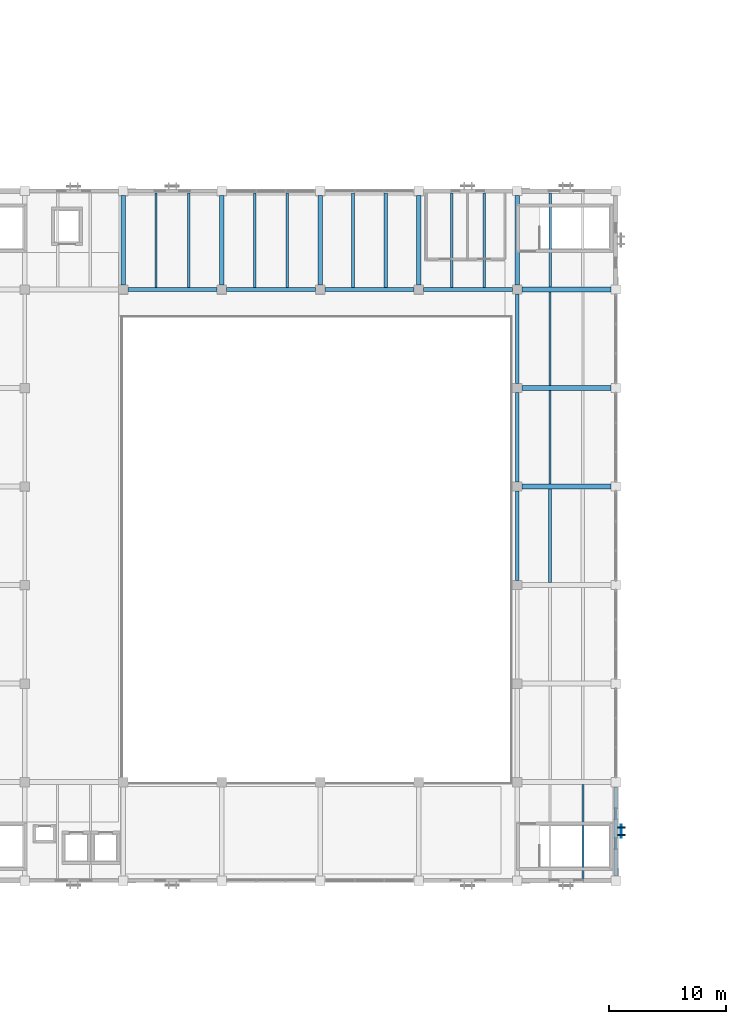
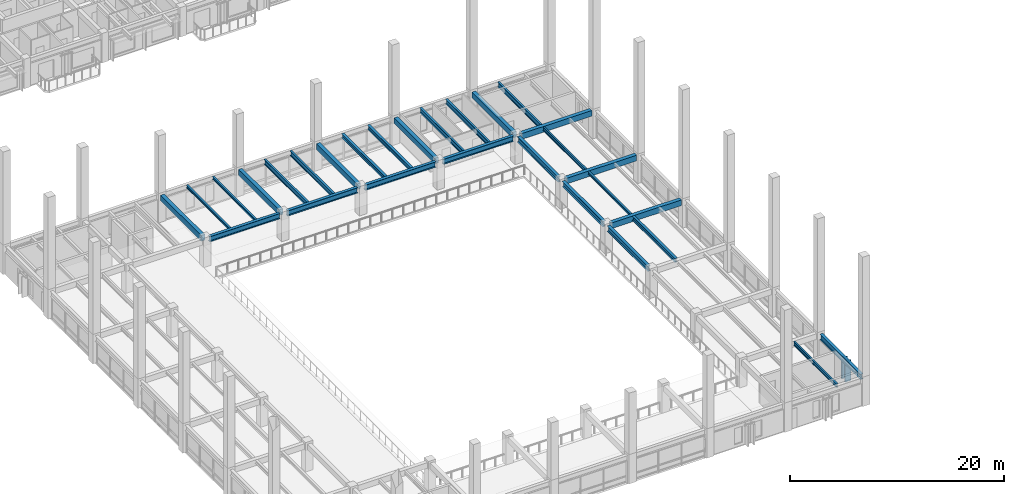
# One storey, part 7 of 64: 29 beams, 3 members, 1 element without a shape of its own.
"""IFC4 building model written with IfcOpenShell, lengths in metres."""

import ifcopenshell
import ifcopenshell.guid

model = None  # the IFC model being written
_history = None  # IfcOwnerHistory: only IFC2X3 demands one
_inside = {}  # id of a spatial element -> (the spatial element, [elements in it])
_under = {}  # id of a project, library or spatial element -> (it, [spatial elements below it])
_declared = {}  # id of a project -> (the project, [libraries it declares])
_typed = {}  # id of a type object -> (the type object, [elements of that type])
_made_of = {}  # id of a material, layer set ... -> (it, [elements and type objects made of it])


def new_model(schema):
    """Start an empty IFC model of exactly this schema.

    Asked for "IFC4X3", IfcOpenShell would pick the latest addendum, in which some entities
    have other attributes; the version numbers below select the first issue.
    IFC2X3 requires an IfcOwnerHistory on every rooted entity: one is made here for all.
    """
    global model, _history
    if schema == "IFC4X3":
        model = ifcopenshell.file(schema_version=(4, 3, 0, 0))
    else:
        model = ifcopenshell.file(schema=schema)
    _inside.clear()
    _under.clear()
    _declared.clear()
    _typed.clear()
    _made_of.clear()
    _history = None
    if model.schema == "IFC2X3":
        org = make("IfcOrganization", Name="unknown")
        user = make(
            "IfcPersonAndOrganization",
            ThePerson=make("IfcPerson", FamilyName="unknown"),
            TheOrganization=org,
        )
        app = make(
            "IfcApplication",
            ApplicationDeveloper=org,
            Version="unknown",
            ApplicationFullName="unknown",
            ApplicationIdentifier="unknown",
        )
        _history = make(
            "IfcOwnerHistory",
            OwningUser=user,
            OwningApplication=app,
            ChangeAction="ADDED",
            CreationDate=0,
        )
    return model


def make(cls, **values):
    """One entity of the class cls with the attributes given. An attribute that is None is left unset."""
    return model.create_entity(
        cls, **{name: value for name, value in values.items() if value is not None}
    )


def rooted(cls, **values):
    """An entity with a GlobalId (a new one), such as an element, a storey or a relation."""
    return make(cls, GlobalId=ifcopenshell.guid.new(), OwnerHistory=_history, **values)


def si_unit(unit_type, name, prefix=None):
    """IfcSIUnit, for example si_unit("LENGTHUNIT", "METRE", prefix="MILLI")."""
    return make("IfcSIUnit", UnitType=unit_type, Prefix=prefix, Name=name)


def assignment(units):
    """IfcUnitAssignment: the units of a project."""
    return None if units is None else make("IfcUnitAssignment", Units=units)


def point(xyz):
    """IfcCartesianPoint."""
    return None if xyz is None else make("IfcCartesianPoint", Coordinates=xyz)


def direction(xyz):
    """IfcDirection."""
    return None if xyz is None else make("IfcDirection", DirectionRatios=xyz)


def frame(location, z_axis=None, x_axis=None):
    """IfcAxis2Placement3D, a coordinate frame: its origin and axes. An axis left out is left unset."""
    return make(
        "IfcAxis2Placement3D",
        Location=point(location),
        Axis=direction(z_axis),
        RefDirection=direction(x_axis),
    )


def frame_2d(location, x_axis=None):
    """IfcAxis2Placement2D, a coordinate frame in the plane: its origin and x axis."""
    return make(
        "IfcAxis2Placement2D", Location=point(location), RefDirection=direction(x_axis)
    )


def origin():
    """The frame at (0, 0, 0) with its axes left unset."""
    return frame((0.0, 0.0, 0.0))


def origin_2d():
    """The frame at (0, 0) in the plane with its x axis left unset."""
    return frame_2d((0.0, 0.0))


def place(relative_to, where):
    """IfcLocalPlacement: puts the frame where relative to a parent placement (None: the world)."""
    return make(
        "IfcLocalPlacement", PlacementRelTo=relative_to, RelativePlacement=where
    )


def context(
    kind, dimensions, precision=None, world=None, true_north=None, identifier=None
):
    """IfcGeometricRepresentationContext, for example the 3D "Model" context."""
    return make(
        "IfcGeometricRepresentationContext",
        ContextIdentifier=identifier,
        ContextType=kind,
        CoordinateSpaceDimension=dimensions,
        Precision=precision,
        WorldCoordinateSystem=world,
        TrueNorth=true_north,
    )


def subcontext(parent, identifier, kind, view, scale=None):
    """IfcGeometricRepresentationSubContext, for example "Body" below "Model"."""
    return make(
        "IfcGeometricRepresentationSubContext",
        ContextIdentifier=identifier,
        ContextType=kind,
        ParentContext=parent,
        TargetScale=scale,
        TargetView=view,
    )


def project(units=None, contexts=None):
    """IfcProject with its units and contexts."""
    return rooted(
        "IfcProject",
        Name="project",
        RepresentationContexts=contexts,
        UnitsInContext=assignment(units),
    )


def spatial(cls, under=None, at=None, **own):
    """A site, building, storey or space (cls), placed at a placement, below another one or the project."""
    s = rooted(cls, ObjectPlacement=at, **own)
    if under is not None:
        _under.setdefault(under.id(), (under, []))[1].append(s)
    return s


def profile(cls, at=None, kind="AREA", **sizes):
    """A parametric profile (cls). Its sizes go by their IFC names, for example OverallWidth=200.0."""
    return make(cls, ProfileType=kind, Position=at, **sizes)


def rectangle(**sizes):
    """IfcRectangleProfileDef."""
    return profile("IfcRectangleProfileDef", **sizes)


def i_section(**sizes):
    """IfcIShapeProfileDef."""
    return profile("IfcIShapeProfileDef", **sizes)


def extrude(swept, where, along, depth):
    """IfcExtrudedAreaSolid: the profile swept, set in the frame where, extruded along a direction by depth."""
    return make(
        "IfcExtrudedAreaSolid",
        SweptArea=swept,
        Position=where,
        ExtrudedDirection=direction(along),
        Depth=depth,
    )


def shape(context_of_items, identifier, shape_type, items):
    """IfcShapeRepresentation: the items that make up one representation, for example the "Body"."""
    return make(
        "IfcShapeRepresentation",
        ContextOfItems=context_of_items,
        RepresentationIdentifier=identifier,
        RepresentationType=shape_type,
        Items=items,
    )


def material(Name=None, Category=None):
    """IfcMaterial."""
    return make("IfcMaterial", Name=Name, Category=Category)


def material_profile(
    of_material, cross_section, Name=None, Category=None, Priority=None
):
    """IfcMaterialProfile: a cross section and its material."""
    return make(
        "IfcMaterialProfile",
        Name=Name,
        Material=of_material,
        Profile=cross_section,
        Priority=Priority,
        Category=Category,
    )


def profile_set(profiles, Name=None, composite=None):
    """IfcMaterialProfileSet."""
    return make(
        "IfcMaterialProfileSet",
        Name=Name,
        MaterialProfiles=profiles,
        CompositeProfile=composite,
    )


def made_of(thing, what):
    """Note that an element or type object is made of a material, layer set ...; save() writes the relation."""
    if what is not None:
        _made_of.setdefault(what.id(), (what, []))[1].append(thing)
    return thing


def type_object(cls, material=None, **own):
    """A type object (cls), such as IfcWallType, which elements share."""
    return made_of(rooted(cls, **own), material)


def element(
    cls,
    number,
    at=None,
    inside=None,
    cuts=None,
    type_object=None,
    material=None,
    context=None,
    identifier="Body",
    shape_type=None,
    held_by="IfcProductDefinitionShape",
    body=None,
    shapes=None,
    **own,
):
    """One element of the class cls, such as IfcWall. Its Tag is "e" and its number.

    at: its placement. inside: the storey or other place that contains it. cuts: it is an
    opening in that element (IfcRelVoidsElement). A single representation is given by context,
    identifier, shape_type and body (its items); several are given by shapes. held_by: the class
    of the entity that holds the representations. save() writes the other relations.
    """
    e = rooted(cls, Tag="e%d" % number, ObjectPlacement=at, **own)
    if body is not None:
        shapes = [shape(context, identifier, shape_type, body)]
    if shapes is not None:
        e.Representation = make(held_by, Representations=shapes)
    if inside is not None:
        _inside.setdefault(inside.id(), (inside, []))[1].append(e)
    if cuts is not None:
        rooted(
            "IfcRelVoidsElement", RelatingBuildingElement=cuts, RelatedOpeningElement=e
        )
    if type_object is not None:
        _typed.setdefault(type_object.id(), (type_object, []))[1].append(e)
    return made_of(e, material)


def aggregate(whole, parts):
    """IfcRelAggregates: a whole, such as a stair, and the parts it consists of."""
    return rooted("IfcRelAggregates", RelatingObject=whole, RelatedObjects=parts)


def save(model, path):
    """Write the relations noted so far, then the file.

    IfcRelAggregates (storeys below a building ...), IfcRelContainedInSpatialStructure (elements
    in a storey), IfcRelDefinesByType, IfcRelAssociatesMaterial and IfcRelDeclares: one each for
    every whole, place, type object, material and project.
    """
    for whole, parts in _under.values():
        aggregate(whole, parts)
    for where, things in _inside.values():
        rooted(
            "IfcRelContainedInSpatialStructure",
            RelatedElements=things,
            RelatingStructure=where,
        )
    for kind, things in _typed.values():
        rooted("IfcRelDefinesByType", RelatedObjects=things, RelatingType=kind)
    for what, things in _made_of.values():
        rooted("IfcRelAssociatesMaterial", RelatedObjects=things, RelatingMaterial=what)
    for by, libraries in _declared.values():
        rooted("IfcRelDeclares", RelatingContext=by, RelatedDefinitions=libraries)
    model.write(path)


model = new_model("IFC4")

# Units and contexts
model_context = context("Model", 3, precision=1e-05, world=origin(), true_north=direction((0.0, 1.0)))
body_context = subcontext(model_context, "Body", "Model", "MODEL_VIEW")
ifc_project = project(units=[si_unit("LENGTHUNIT", "METRE"), si_unit("AREAUNIT", "SQUARE_METRE"), si_unit("VOLUMEUNIT", "CUBIC_METRE"), si_unit("PLANEANGLEUNIT", "RADIAN"), si_unit("MASSUNIT", "GRAM", prefix="KILO")], contexts=[model_context])

# Site, building, storey
site_placement = place(None, origin())
site = spatial("IfcSite", under=ifc_project, at=site_placement, CompositionType="ELEMENT")
building_placement = place(site_placement, origin())
building = spatial("IfcBuilding", under=site, at=building_placement, Name="Cumbredor Promenade Congress Hotel", CompositionType="ELEMENT")
storey_placement = place(building_placement, frame((0.0, 0.0, 18.47998046875)))
storey = spatial("IfcBuildingStorey", under=building, at=storey_placement, Name="L05", CompositionType="ELEMENT", Elevation=18.47998046875)

# Beams
ifc_material_1 = material(Name="Concrete C40/50", Category="concrete")
ifc_material_profile_1 = material_profile(ifc_material_1, rectangle(XDim=0.39990234375, YDim=0.64990234375, at=origin_2d()), Name="RC BEAM 400x650")
ifc_profile_set_1 = profile_set([ifc_material_profile_1], Name="Concrete C40/50")
beam_type_1 = type_object("IfcBeamType", Name="BM-RC-400x650", PredefinedType="BEAM", material=ifc_profile_set_1)
for number, where, z_axis, x_axis, name in (
    (1, (25.199951171875, 59.199951171875, 2.794921875), (0.0, 1.0, 0.0), (-1.0, 0.0, 0.0), "L06 Y-Grid Beam 050"),
    (2, (33.60009765625, 59.199951171875, 2.794921875), (0.0, 1.0, 0.0), (-1.0, 0.0, 0.0), "L06 Y-Grid Beam 060"),
    (3, (42.0, 59.199951171875, 2.794921875), (0.0, 1.0, 0.0), (-1.0, 0.0, 0.0), "L06 Y-Grid Beam 071"),
    (4, (50.39990234375, 59.199951171875, 2.794921875), (0.0, 1.0, 0.0), (-1.0, 0.0, 0.0), "L06 Y-Grid Beam 082"),
    (5, (59.199951171875, 42.0, 2.794921875), (1.0, 0.0, 0.0), (0.0, 1.0, 0.0), "L06 X-Grid Beam 099"),
    (6, (59.199951171875, 50.39990234375, 2.794921875), (1.0, 0.0, 0.0), (0.0, 1.0, 0.0), "L06 X-Grid Beam 101"),
    (7, (59.199951171875, 58.800048828125, 2.794921875), (1.0, 0.0, 0.0), (0.0, 1.0, 0.0), "L06 X-Grid Beam 103"),
    (8, (58.800048828125, 59.199951171875, 2.794921875), (0.0, 1.0, 0.0), (-1.0, 0.0, 0.0), "L06 Y-Grid Beam 104"),
):
    element("IfcBeam", number, at=place(storey_placement, frame(where, z_axis=z_axis, x_axis=x_axis)), inside=storey, type_object=beam_type_1, Name=name, PredefinedType="BEAM", context=body_context, shape_type="SweptSolid", body=[
        extrude(rectangle(XDim=0.39990234375, YDim=0.64990234375, at=origin_2d()), origin(), (0.0, 0.0, 1.0), 7.60009765625),
    ])
ifc_material_2 = material(Name="Steel ASTM A992 Grade 50", Category="steel")
ifc_material_profile_2 = material_profile(ifc_material_2, i_section(OverallWidth=0.323974609375, OverallDepth=0.611083984375, WebThickness=0.0126953125, FlangeThickness=0.01904296875, at=origin_2d()), Name="W24X104")
ifc_profile_set_2 = profile_set([ifc_material_profile_2], Name="Steel ASTM A992 Grade 50")
beam_type_2 = type_object("IfcBeamType", Name="BM-W24X104", PredefinedType="BEAM", material=ifc_profile_set_2)
beam_1_placement = place(storey_placement, frame((25.60009765625, 58.800048828125, 2.814453125), z_axis=(1.0, 0.0, 0.0), x_axis=(0.0, 1.0, 0.0)))
element("IfcBeam", 9, at=beam_1_placement, inside=storey, type_object=beam_type_2, Name="L06 X-Grid Beam 049", PredefinedType="BEAM", context=body_context, shape_type="SweptSolid", body=[
    extrude(i_section(OverallWidth=0.323974609375, OverallDepth=0.611083984375, WebThickness=0.0126953125, FlangeThickness=0.01904296875, at=origin_2d()), origin(), (0.0, 0.0, 1.0), 7.599853515625),
])
for number, where, z_axis, x_axis, name in (
    (10, (34.0, 58.800048828125, 2.814453125), (1.0, 0.0, 0.0), (0.0, 1.0, 0.0), "L06 X-Grid Beam 059"),
    (11, (42.39990234375, 58.800048828125, 2.814453125), (1.0, 0.0, 0.0), (0.0, 1.0, 0.0), "L06 X-Grid Beam 070"),
):
    element("IfcBeam", number, at=place(storey_placement, frame(where, z_axis=z_axis, x_axis=x_axis)), inside=storey, type_object=beam_type_2, Name=name, PredefinedType="BEAM", context=body_context, shape_type="SweptSolid", body=[
        extrude(i_section(OverallWidth=0.323974609375, OverallDepth=0.611083984375, WebThickness=0.0126953125, FlangeThickness=0.01904296875, at=origin_2d()), origin(), (0.0, 0.0, 1.0), 7.60009765625),
    ])
beam_2_placement = place(storey_placement, frame((50.800048828125, 58.800048828125, 2.814453125), z_axis=(1.0, 0.0, 0.0), x_axis=(0.0, 1.0, 0.0)))
element("IfcBeam", 12, at=beam_2_placement, inside=storey, type_object=beam_type_2, Name="L06 X-Grid Beam 081", PredefinedType="BEAM", context=body_context, shape_type="SweptSolid", body=[
    extrude(i_section(OverallWidth=0.323974609375, OverallDepth=0.611083984375, WebThickness=0.0126953125, FlangeThickness=0.01904296875, at=origin_2d()), origin(), (0.0, 0.0, 1.0), 7.599853515625),
])

# Curtain wall, member
ifc_material_3 = material(Name="Thermally broken anodized aluminium and low-E glass", Category="aluminium")
curtain_wall_type = type_object("IfcCurtainWallType", Name="Solar Brise-Soleil Screen Assembly CW-07", PredefinedType="NOTDEFINED", material=ifc_material_3)
curtain_wall_placement = place(storey_placement, origin())
curtain_wall = element("IfcCurtainWall", 13, at=curtain_wall_placement, inside=storey, type_object=curtain_wall_type, Name="L05 Pier Brise-Soleil Screen 0841", PredefinedType="NOTDEFINED")
ifc_material_4 = material(Name="Thermally broken anodized aluminium", Category="aluminium")
ifc_material_profile_3 = material_profile(ifc_material_4, rectangle(XDim=0.06494140625, YDim=0.1298828125, at=origin_2d()), Name="ALU TRANSOM 65x130")
ifc_profile_set_3 = profile_set([ifc_material_profile_3], Name="Thermally broken anodized aluminium")
member_type_1 = type_object("IfcMemberType", Name="Curtain Wall Transom TR-01", PredefinedType="USERDEFINED", material=ifc_profile_set_3)
member_1_placement = place(storey_placement, frame((67.68505859375, 12.050048828125, 2.333984375), z_axis=(0.0, 1.0, 0.0), x_axis=(-1.0, 0.0, 0.0)))
member_1 = element("IfcMember", 14, at=member_1_placement, type_object=member_type_1, Name="L05 Pier Brise-Soleil Header 0843", ObjectType="TRANSOM", PredefinedType="USERDEFINED", context=body_context, shape_type="SweptSolid", body=[
    extrude(rectangle(XDim=0.06494140625, YDim=0.1298828125, at=origin_2d()), origin(), (0.0, 0.0, 1.0), 1.099853515625),
])

# Beams
ifc_material_profile_4 = material_profile(ifc_material_2, i_section(OverallWidth=0.202880859375, OverallDepth=0.302978515625, WebThickness=0.007568359375, FlangeThickness=0.01318359375, at=origin_2d()), Name="W12X40")
ifc_profile_set_4 = profile_set([ifc_material_profile_4], Name="Steel ASTM A992 Grade 50")
beam_type_3 = type_object("IfcBeamType", Name="JST-W12X40", PredefinedType="JOIST", material=ifc_profile_set_4)
for number, where, z_axis, x_axis, name in (
    (15, (28.0, 58.9619140625, 2.968505859375), (0.0, 1.0, 0.0), (-1.0, 0.0, 0.0), "L06 Secondary Floor Joist 0033"),
    (16, (30.800048828125, 58.9619140625, 2.968505859375), (0.0, 1.0, 0.0), (-1.0, 0.0, 0.0), "L06 Secondary Floor Joist 0034"),
):
    element("IfcBeam", number, at=place(storey_placement, frame(where, z_axis=z_axis, x_axis=x_axis)), inside=storey, type_object=beam_type_3, Name=name, PredefinedType="JOIST", context=body_context, shape_type="SweptSolid", body=[
        extrude(i_section(OverallWidth=0.202880859375, OverallDepth=0.302978515625, WebThickness=0.007568359375, FlangeThickness=0.01318359375, at=origin_2d()), origin(), (0.0, 0.0, 1.0), 8.076171875),
    ])
beam_3_placement = place(storey_placement, frame((61.60009765625, 42.199951171875, 2.968505859375), z_axis=(0.0, 1.0, 0.0), x_axis=(-1.0, 0.0, 0.0)))
element("IfcBeam", 17, at=beam_3_placement, inside=storey, type_object=beam_type_3, Name="L06 Secondary Floor Joist 0063", PredefinedType="JOIST", context=body_context, shape_type="SweptSolid", body=[
    extrude(i_section(OverallWidth=0.202880859375, OverallDepth=0.302978515625, WebThickness=0.007568359375, FlangeThickness=0.01318359375, at=origin_2d()), origin(), (0.0, 0.0, 1.0), 8.0),
])
ifc_material_profile_5 = material_profile(ifc_material_2, i_section(OverallWidth=0.180908203125, OverallDepth=0.4169921875, WebThickness=0.010986328125, FlangeThickness=0.018310546875, at=origin_2d()), Name="W16X57")
ifc_profile_set_5 = profile_set([ifc_material_profile_5], Name="Steel ASTM A992 Grade 50")
beam_type_4 = type_object("IfcBeamType", Name="JST-W16X57", PredefinedType="JOIST", material=ifc_profile_set_5)
beam_4_placement = place(storey_placement, frame((64.39990234375, 8.56201171875, 2.91162109375), z_axis=(0.0, 1.0, 0.0), x_axis=(-1.0, 0.0, 0.0)))
element("IfcBeam", 18, at=beam_4_placement, inside=storey, type_object=beam_type_4, Name="L06 Secondary Floor Joist 0056", PredefinedType="JOIST", context=body_context, shape_type="SweptSolid", body=[
    extrude(i_section(OverallWidth=0.180908203125, OverallDepth=0.4169921875, WebThickness=0.010986328125, FlangeThickness=0.018310546875, at=origin_2d()), origin(), (0.0, 0.0, 1.0), 8.0380859375),
])
beam_5_placement = place(storey_placement, frame((61.60009765625, 50.60009765625, 2.91162109375), z_axis=(0.0, 1.0, 0.0), x_axis=(-1.0, 0.0, 0.0)))
element("IfcBeam", 19, at=beam_5_placement, inside=storey, type_object=beam_type_4, Name="L06 Secondary Floor Joist 0065", PredefinedType="JOIST", context=body_context, shape_type="SweptSolid", body=[
    extrude(i_section(OverallWidth=0.180908203125, OverallDepth=0.4169921875, WebThickness=0.010986328125, FlangeThickness=0.018310546875, at=origin_2d()), origin(), (0.0, 0.0, 1.0), 8.0),
])
ifc_material_profile_6 = material_profile(ifc_material_2, i_section(OverallWidth=0.280029296875, OverallDepth=0.462890625, WebThickness=0.0107421875, FlangeThickness=0.017333984375, at=origin_2d()), Name="W18X76")
ifc_profile_set_6 = profile_set([ifc_material_profile_6], Name="Steel ASTM A992 Grade 50")
beam_type_5 = type_object("IfcBeamType", Name="JST-W18X76", PredefinedType="JOIST", material=ifc_profile_set_6)
for number, where, z_axis, x_axis, name in (
    (20, (44.800048828125, 58.9619140625, 2.888427734375), (0.0, 1.0, 0.0), (-1.0, 0.0, 0.0), "L06 Secondary Floor Joist 0041"),
    (21, (47.60009765625, 58.9619140625, 2.888427734375), (0.0, 1.0, 0.0), (-1.0, 0.0, 0.0), "L06 Secondary Floor Joist 0042"),
):
    element("IfcBeam", number, at=place(storey_placement, frame(where, z_axis=z_axis, x_axis=x_axis)), inside=storey, type_object=beam_type_5, Name=name, PredefinedType="JOIST", context=body_context, shape_type="SweptSolid", body=[
        extrude(i_section(OverallWidth=0.280029296875, OverallDepth=0.462890625, WebThickness=0.0107421875, FlangeThickness=0.017333984375, at=origin_2d()), origin(), (0.0, 0.0, 1.0), 8.076171875),
    ])
beam_6_placement = place(storey_placement, frame((61.60009765625, 33.800048828125, 2.888427734375), z_axis=(0.0, 1.0, 0.0), x_axis=(-1.0, 0.0, 0.0)))
element("IfcBeam", 22, at=beam_6_placement, inside=storey, type_object=beam_type_5, Name="L06 Secondary Floor Joist 0061", PredefinedType="JOIST", context=body_context, shape_type="SweptSolid", body=[
    extrude(i_section(OverallWidth=0.280029296875, OverallDepth=0.462890625, WebThickness=0.0107421875, FlangeThickness=0.017333984375, at=origin_2d()), origin(), (0.0, 0.0, 1.0), 8.0),
])
ifc_material_profile_7 = material_profile(ifc_material_2, i_section(OverallWidth=0.214111328125, OverallDepth=0.549072265625, WebThickness=0.0146484375, FlangeThickness=0.023681640625, at=origin_2d()), Name="W21X93")
ifc_profile_set_7 = profile_set([ifc_material_profile_7], Name="Steel ASTM A992 Grade 50")
beam_type_6 = type_object("IfcBeamType", Name="JST-W21X93", PredefinedType="JOIST", material=ifc_profile_set_7)
for number, where, z_axis, x_axis, name in (
    (23, (36.39990234375, 58.9619140625, 2.845458984375), (0.0, 1.0, 0.0), (-1.0, 0.0, 0.0), "L06 Secondary Floor Joist 0037"),
    (24, (39.199951171875, 58.9619140625, 2.845458984375), (0.0, 1.0, 0.0), (-1.0, 0.0, 0.0), "L06 Secondary Floor Joist 0038"),
    (25, (53.199951171875, 58.9619140625, 2.845458984375), (0.0, 1.0, 0.0), (-1.0, 0.0, 0.0), "L06 Secondary Floor Joist 0047"),
    (26, (56.0, 58.9619140625, 2.845458984375), (0.0, 1.0, 0.0), (-1.0, 0.0, 0.0), "L06 Secondary Floor Joist 0048"),
):
    element("IfcBeam", number, at=place(storey_placement, frame(where, z_axis=z_axis, x_axis=x_axis)), inside=storey, type_object=beam_type_6, Name=name, PredefinedType="JOIST", context=body_context, shape_type="SweptSolid", body=[
        extrude(i_section(OverallWidth=0.214111328125, OverallDepth=0.549072265625, WebThickness=0.0146484375, FlangeThickness=0.023681640625, at=origin_2d()), origin(), (0.0, 0.0, 1.0), 8.076171875),
    ])
beam_7_placement = place(storey_placement, frame((61.60009765625, 59.0, 2.845458984375), z_axis=(0.0, 1.0, 0.0), x_axis=(-1.0, 0.0, 0.0)))
element("IfcBeam", 27, at=beam_7_placement, inside=storey, type_object=beam_type_6, Name="L06 Secondary Floor Joist 0067", PredefinedType="JOIST", context=body_context, shape_type="SweptSolid", body=[
    extrude(i_section(OverallWidth=0.214111328125, OverallDepth=0.549072265625, WebThickness=0.0146484375, FlangeThickness=0.023681640625, at=origin_2d()), origin(), (0.0, 0.0, 1.0), 8.0380859375),
])
ifc_material_profile_8 = material_profile(ifc_material_2, i_section(OverallWidth=0.323974609375, OverallDepth=0.611083984375, WebThickness=0.0126953125, FlangeThickness=0.01904296875, at=origin_2d()), Name="W24X104")
ifc_profile_set_8 = profile_set([ifc_material_profile_8], Name="Steel ASTM A992 Grade 50")
beam_type_7 = type_object("IfcBeamType", Name="SP-W24X104", PredefinedType="SPANDREL", material=ifc_profile_set_8)
for number, where, z_axis, x_axis, name in (
    (28, (58.800048828125, 34.0, 2.814453125), (0.0, 1.0, 0.0), (-1.0, 0.0, 0.0), "L06 Y-Grid Beam 098"),
    (29, (58.800048828125, 42.39990234375, 2.814453125), (0.0, 1.0, 0.0), (-1.0, 0.0, 0.0), "L06 Y-Grid Beam 100"),
):
    element("IfcBeam", number, at=place(storey_placement, frame(where, z_axis=z_axis, x_axis=x_axis)), inside=storey, type_object=beam_type_7, Name=name, PredefinedType="SPANDREL", context=body_context, shape_type="SweptSolid", body=[
        extrude(i_section(OverallWidth=0.323974609375, OverallDepth=0.611083984375, WebThickness=0.0126953125, FlangeThickness=0.01904296875, at=origin_2d()), origin(), (0.0, 0.0, 1.0), 7.60009765625),
    ])
for number, where, z_axis, x_axis, name in (
    (30, (58.800048828125, 50.800048828125, 2.814453125), (0.0, 1.0, 0.0), (-1.0, 0.0, 0.0), "L06 Y-Grid Beam 102"),
    (31, (67.199951171875, 8.800048828125, 2.814453125), (0.0, 1.0, 0.0), (-1.0, 0.0, 0.0), "L06 Y-Grid Beam 113"),
):
    element("IfcBeam", number, at=place(storey_placement, frame(where, z_axis=z_axis, x_axis=x_axis)), inside=storey, type_object=beam_type_7, Name=name, PredefinedType="SPANDREL", context=body_context, shape_type="SweptSolid", body=[
        extrude(i_section(OverallWidth=0.323974609375, OverallDepth=0.611083984375, WebThickness=0.0126953125, FlangeThickness=0.01904296875, at=origin_2d()), origin(), (0.0, 0.0, 1.0), 7.599853515625),
    ])

# Member
ifc_material_profile_9 = material_profile(ifc_material_4, rectangle(XDim=0.110107421875, YDim=0.6201171875, at=origin_2d()), Name="ARCH FIN 110x620")
ifc_profile_set_9 = profile_set([ifc_material_profile_9], Name="Thermally broken anodized aluminium")
member_type_2 = type_object("IfcMemberType", Name="Vertical Bronze Brise-Soleil Fin BSF-02 110x620", PredefinedType="USERDEFINED", material=ifc_profile_set_9)
member_2_placement = place(storey_placement, frame((67.68505859375, 12.280029296875, 0.02001953125), z_axis=(0.0, 0.0, 1.0), x_axis=(0.0, 1.0, 0.0)))
member_2 = element("IfcMember", 32, at=member_2_placement, type_object=member_type_2, Name="L05 Pier Brise-Soleil Fin 0842", ObjectType="SOLAR FIN", PredefinedType="USERDEFINED", context=body_context, shape_type="SweptSolid", body=[
    extrude(rectangle(XDim=0.110107421875, YDim=0.6201171875, at=origin_2d()), origin(), (0.0, 0.0, 1.0), 2.35400390625),
])

member_3_placement = place(storey_placement, frame((67.68505859375, 12.919921875, 0.02001953125), z_axis=(0.0, 0.0, 1.0), x_axis=(0.0, 1.0, 0.0)))
member_3 = element("IfcMember", 33, at=member_3_placement, type_object=member_type_2, Name="L05 Pier Brise-Soleil Fin 0843", ObjectType="SOLAR FIN", PredefinedType="USERDEFINED", context=body_context, shape_type="SweptSolid", body=[
    extrude(rectangle(XDim=0.110107421875, YDim=0.6201171875, at=origin_2d()), origin(), (0.0, 0.0, 1.0), 2.35400390625),
])

aggregate(curtain_wall, [member_2, member_3, member_1])

save(model, "model.ifc")
